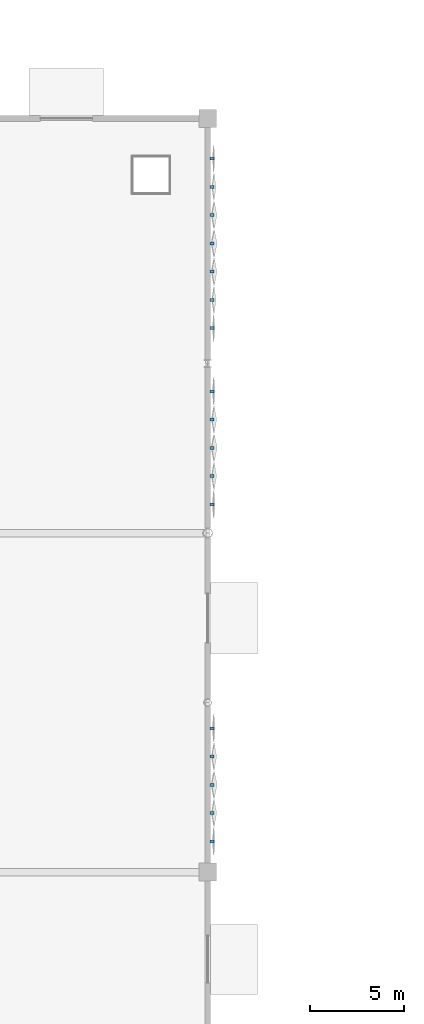
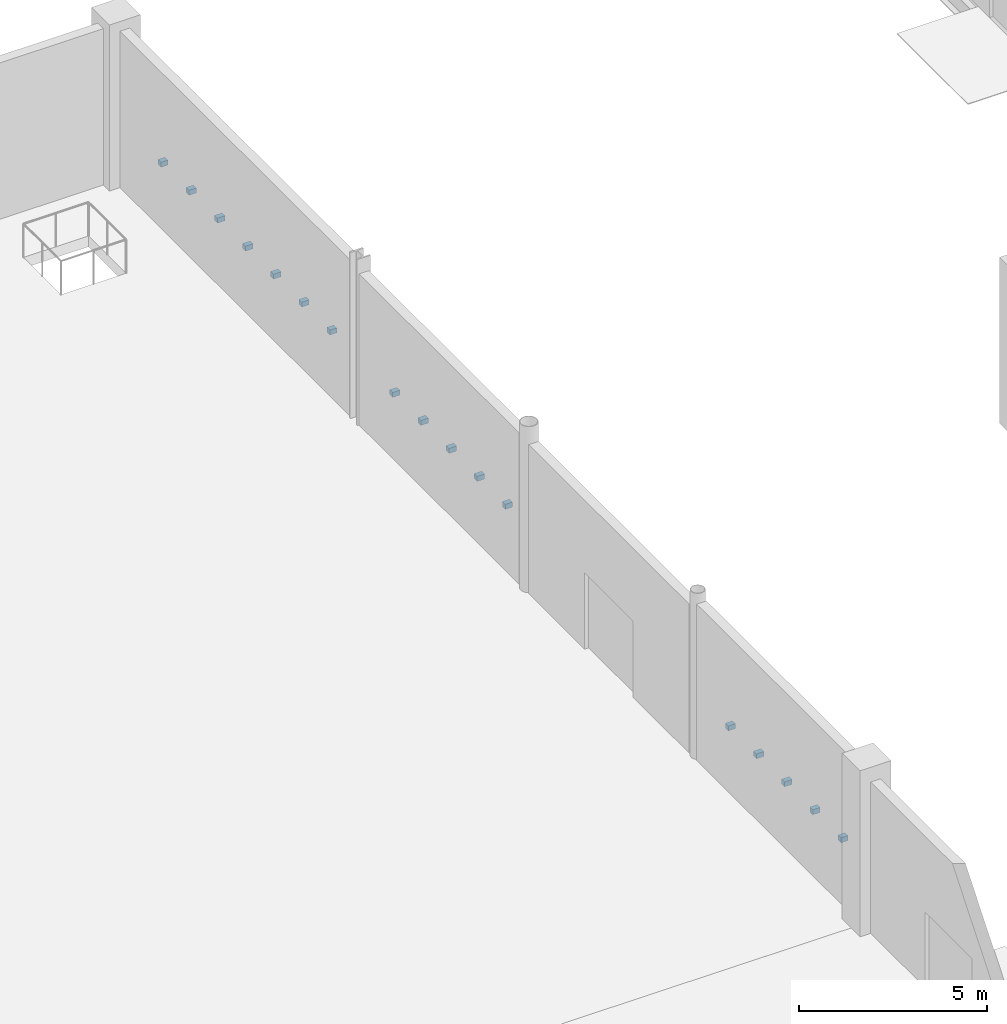
# One storey, part 72 of 94: 17 discrete accessories.
"""IFC4 building model written with IfcOpenShell, lengths in metres."""

from ifc_helpers import new_model, si_unit, direction, frame, origin, origin_2d, place, context, subcontext, project, spatial, rectangle, extrude, material, type_object, element, save


model = new_model("IFC4")

# Units and contexts
model_context = context("Model", 3, precision=1e-05, world=origin(), true_north=direction((0.0, 1.0)))
body_context = subcontext(model_context, "Body", "Model", "MODEL_VIEW")
ifc_project = project(units=[si_unit("LENGTHUNIT", "METRE"), si_unit("AREAUNIT", "SQUARE_METRE"), si_unit("VOLUMEUNIT", "CUBIC_METRE"), si_unit("PLANEANGLEUNIT", "RADIAN"), si_unit("MASSUNIT", "GRAM", prefix="KILO")], contexts=[model_context])

# Site, building, storey
site_placement = place(None, origin())
site = spatial("IfcSite", under=ifc_project, at=site_placement, CompositionType="ELEMENT")
building_placement = place(site_placement, origin())
building = spatial("IfcBuilding", under=site, at=building_placement, Name="Qamarlyn Nura Convention Centre", CompositionType="ELEMENT")
storey_placement = place(building_placement, origin())
storey = spatial("IfcBuildingStorey", under=building, at=storey_placement, Name="L00", CompositionType="ELEMENT", Elevation=0.0)

# Discrete accessories
ifc_material = material(Name="Marine Grade 316 stainless steel", Category="steel")
discrete_accessory_type = type_object("IfcDiscreteAccessoryType", Name="ACC-TILE-BRK", PredefinedType="BRACKET", material=ifc_material)
discrete_accessory_1_placement = place(storey_placement, frame((120.218994140625, 70.635986328125, 1.6201171875), z_axis=(0.0, 0.0, 1.0), x_axis=(1.0, 0.0, 0.0)))
element("IfcDiscreteAccessory", 1, at=discrete_accessory_1_placement, inside=storey, type_object=discrete_accessory_type, Name="L00 diamond tile pivot bracket 0032", PredefinedType="BRACKET", context=body_context, shape_type="SweptSolid", body=[
    extrude(rectangle(XDim=0.218017578125, YDim=0.159912109375, at=origin_2d()), origin(), (0.0, 0.0, 1.0), 0.159912109375),
])
discrete_accessory_2_placement = place(storey_placement, frame((120.224365234375, 69.135986328125, 1.6201171875), z_axis=(0.0, 0.0, 1.0), x_axis=(1.0, 0.0, 0.0)))
element("IfcDiscreteAccessory", 2, at=discrete_accessory_2_placement, inside=storey, type_object=discrete_accessory_type, Name="L00 diamond tile pivot bracket 0033", PredefinedType="BRACKET", context=body_context, shape_type="SweptSolid", body=[
    extrude(rectangle(XDim=0.228515625, YDim=0.159912109375, at=origin_2d()), origin(), (0.0, 0.0, 1.0), 0.159912109375),
])
discrete_accessory_3_placement = place(storey_placement, frame((120.2265625, 67.635986328125, 1.6201171875), z_axis=(0.0, 0.0, 1.0), x_axis=(1.0, 0.0, 0.0)))
element("IfcDiscreteAccessory", 3, at=discrete_accessory_3_placement, inside=storey, type_object=discrete_accessory_type, Name="L00 diamond tile pivot bracket 0034", PredefinedType="BRACKET", context=body_context, shape_type="SweptSolid", body=[
    extrude(rectangle(XDim=0.23291015625, YDim=0.159912109375, at=origin_2d()), origin(), (0.0, 0.0, 1.0), 0.159912109375),
])
discrete_accessory_4_placement = place(storey_placement, frame((120.224365234375, 66.135986328125, 1.6201171875), z_axis=(0.0, 0.0, 1.0), x_axis=(1.0, 0.0, 0.0)))
element("IfcDiscreteAccessory", 4, at=discrete_accessory_4_placement, inside=storey, type_object=discrete_accessory_type, Name="L00 diamond tile pivot bracket 0035", PredefinedType="BRACKET", context=body_context, shape_type="SweptSolid", body=[
    extrude(rectangle(XDim=0.228515625, YDim=0.159912109375, at=origin_2d()), origin(), (0.0, 0.0, 1.0), 0.159912109375),
])
for number, where, z_axis, x_axis, name in (
    (5, (120.218994140625, 64.635986328125, 1.6201171875), (0.0, 0.0, 1.0), (1.0, 0.0, 0.0), "L00 diamond tile pivot bracket 0036"),
    (6, (120.218994140625, 88.520751953125, 1.6201171875), (0.0, 0.0, 1.0), (1.0, 0.0, 0.0), "L00 diamond tile pivot bracket 0037"),
):
    element("IfcDiscreteAccessory", number, at=place(storey_placement, frame(where, z_axis=z_axis, x_axis=x_axis)), inside=storey, type_object=discrete_accessory_type, Name=name, PredefinedType="BRACKET", context=body_context, shape_type="SweptSolid", body=[
        extrude(rectangle(XDim=0.218017578125, YDim=0.159912109375, at=origin_2d()), origin(), (0.0, 0.0, 1.0), 0.159912109375),
    ])
discrete_accessory_5_placement = place(storey_placement, frame((120.224365234375, 87.020751953125, 1.6201171875), z_axis=(0.0, 0.0, 1.0), x_axis=(1.0, 0.0, 0.0)))
element("IfcDiscreteAccessory", 7, at=discrete_accessory_5_placement, inside=storey, type_object=discrete_accessory_type, Name="L00 diamond tile pivot bracket 0038", PredefinedType="BRACKET", context=body_context, shape_type="SweptSolid", body=[
    extrude(rectangle(XDim=0.228515625, YDim=0.159912109375, at=origin_2d()), origin(), (0.0, 0.0, 1.0), 0.159912109375),
])
discrete_accessory_6_placement = place(storey_placement, frame((120.2265625, 85.520751953125, 1.6201171875), z_axis=(0.0, 0.0, 1.0), x_axis=(1.0, 0.0, 0.0)))
element("IfcDiscreteAccessory", 8, at=discrete_accessory_6_placement, inside=storey, type_object=discrete_accessory_type, Name="L00 diamond tile pivot bracket 0039", PredefinedType="BRACKET", context=body_context, shape_type="SweptSolid", body=[
    extrude(rectangle(XDim=0.23291015625, YDim=0.159912109375, at=origin_2d()), origin(), (0.0, 0.0, 1.0), 0.159912109375),
])
discrete_accessory_7_placement = place(storey_placement, frame((120.224365234375, 84.020751953125, 1.6201171875), z_axis=(0.0, 0.0, 1.0), x_axis=(1.0, 0.0, 0.0)))
element("IfcDiscreteAccessory", 9, at=discrete_accessory_7_placement, inside=storey, type_object=discrete_accessory_type, Name="L00 diamond tile pivot bracket 0040", PredefinedType="BRACKET", context=body_context, shape_type="SweptSolid", body=[
    extrude(rectangle(XDim=0.228515625, YDim=0.159912109375, at=origin_2d()), origin(), (0.0, 0.0, 1.0), 0.159912109375),
])
discrete_accessory_8_placement = place(storey_placement, frame((120.218994140625, 82.520751953125, 1.6201171875), z_axis=(0.0, 0.0, 1.0), x_axis=(1.0, 0.0, 0.0)))
element("IfcDiscreteAccessory", 10, at=discrete_accessory_8_placement, inside=storey, type_object=discrete_accessory_type, Name="L00 diamond tile pivot bracket 0041", PredefinedType="BRACKET", context=body_context, shape_type="SweptSolid", body=[
    extrude(rectangle(XDim=0.218017578125, YDim=0.159912109375, at=origin_2d()), origin(), (0.0, 0.0, 1.0), 0.159912109375),
])
discrete_accessory_9_placement = place(storey_placement, frame((120.217529296875, 100.868896484375, 1.6201171875), z_axis=(0.0, 0.0, 1.0), x_axis=(1.0, 0.0, 0.0)))
element("IfcDiscreteAccessory", 11, at=discrete_accessory_9_placement, inside=storey, type_object=discrete_accessory_type, Name="L00 diamond tile pivot bracket 0042", PredefinedType="BRACKET", context=body_context, shape_type="SweptSolid", body=[
    extrude(rectangle(XDim=0.215087890625, YDim=0.159912109375, at=origin_2d()), origin(), (0.0, 0.0, 1.0), 0.159912109375),
])
discrete_accessory_10_placement = place(storey_placement, frame((120.22119140625, 99.368896484375, 1.6201171875), z_axis=(0.0, 0.0, 1.0), x_axis=(1.0, 0.0, 0.0)))
element("IfcDiscreteAccessory", 12, at=discrete_accessory_10_placement, inside=storey, type_object=discrete_accessory_type, Name="L00 diamond tile pivot bracket 0043", PredefinedType="BRACKET", context=body_context, shape_type="SweptSolid", body=[
    extrude(rectangle(XDim=0.222412109375, YDim=0.159912109375, at=origin_2d()), origin(), (0.0, 0.0, 1.0), 0.159912109375),
])
for number, where, z_axis, x_axis, name in (
    (13, (120.2265625, 97.868896484375, 1.6201171875), (0.0, 0.0, 1.0), (1.0, 0.0, 0.0), "L00 diamond tile pivot bracket 0044"),
    (14, (120.2265625, 96.368896484375, 1.6201171875), (0.0, 0.0, 1.0), (1.0, 0.0, 0.0), "L00 diamond tile pivot bracket 0045"),
    (15, (120.2265625, 94.868896484375, 1.6201171875), (0.0, 0.0, 1.0), (1.0, 0.0, 0.0), "L00 diamond tile pivot bracket 0046"),
):
    element("IfcDiscreteAccessory", number, at=place(storey_placement, frame(where, z_axis=z_axis, x_axis=x_axis)), inside=storey, type_object=discrete_accessory_type, Name=name, PredefinedType="BRACKET", context=body_context, shape_type="SweptSolid", body=[
        extrude(rectangle(XDim=0.23291015625, YDim=0.159912109375, at=origin_2d()), origin(), (0.0, 0.0, 1.0), 0.159912109375),
    ])
discrete_accessory_11_placement = place(storey_placement, frame((120.22119140625, 93.368896484375, 1.6201171875), z_axis=(0.0, 0.0, 1.0), x_axis=(1.0, 0.0, 0.0)))
element("IfcDiscreteAccessory", 16, at=discrete_accessory_11_placement, inside=storey, type_object=discrete_accessory_type, Name="L00 diamond tile pivot bracket 0047", PredefinedType="BRACKET", context=body_context, shape_type="SweptSolid", body=[
    extrude(rectangle(XDim=0.222412109375, YDim=0.159912109375, at=origin_2d()), origin(), (0.0, 0.0, 1.0), 0.159912109375),
])
discrete_accessory_12_placement = place(storey_placement, frame((120.217529296875, 91.868896484375, 1.6201171875), z_axis=(0.0, 0.0, 1.0), x_axis=(1.0, 0.0, 0.0)))
element("IfcDiscreteAccessory", 17, at=discrete_accessory_12_placement, inside=storey, type_object=discrete_accessory_type, Name="L00 diamond tile pivot bracket 0048", PredefinedType="BRACKET", context=body_context, shape_type="SweptSolid", body=[
    extrude(rectangle(XDim=0.215087890625, YDim=0.159912109375, at=origin_2d()), origin(), (0.0, 0.0, 1.0), 0.159912109375),
])

save(model, "model.ifc")
